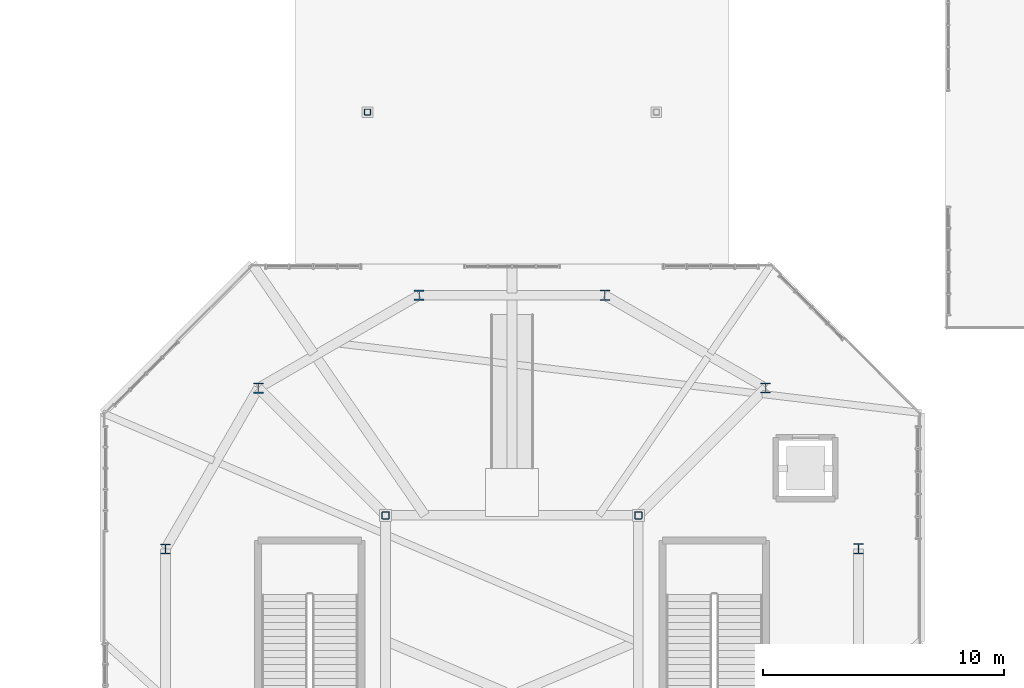
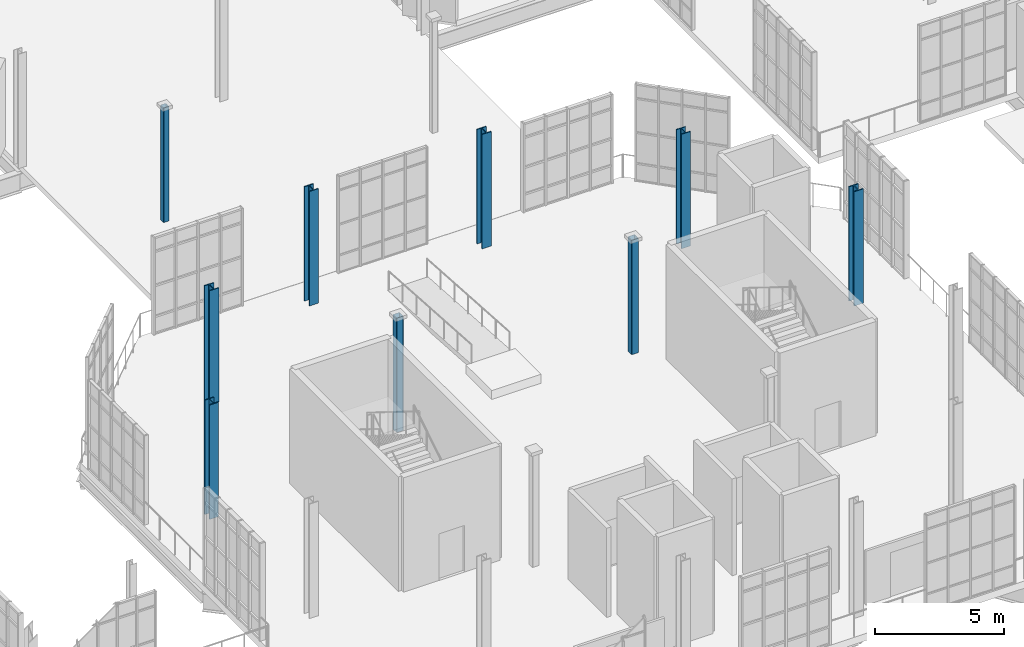
# One storey, part 7 of 189: 9 columns.
"""IFC4 building model written with IfcOpenShell, lengths in metres."""

from ifc_helpers import new_model, si_unit, direction, frame, origin, origin_2d, place, context, subcontext, project, spatial, hollow_rectangle, i_section, extrude, material, material_profile, profile_set, type_object, element, save


model = new_model("IFC4")

# Units and contexts
model_context = context("Model", 3, precision=1e-05, world=origin(), true_north=direction((0.0, 1.0)))
body_context = subcontext(model_context, "Body", "Model", "MODEL_VIEW")
ifc_project = project(units=[si_unit("LENGTHUNIT", "METRE"), si_unit("AREAUNIT", "SQUARE_METRE"), si_unit("VOLUMEUNIT", "CUBIC_METRE"), si_unit("PLANEANGLEUNIT", "RADIAN"), si_unit("MASSUNIT", "GRAM", prefix="KILO"), si_unit("THERMODYNAMICTEMPERATUREUNIT", "KELVIN"), si_unit("POWERUNIT", "WATT")], contexts=[model_context])

# Site, building, storey
site_placement = place(None, origin())
site = spatial("IfcSite", under=ifc_project, at=site_placement, CompositionType="ELEMENT")
building_placement = place(site_placement, origin())
building = spatial("IfcBuilding", under=site, at=building_placement, Name="Zelmaris Science Centre", CompositionType="ELEMENT")
storey_placement = place(building_placement, origin())
storey = spatial("IfcBuildingStorey", under=building, at=storey_placement, Name="L00", CompositionType="ELEMENT", Elevation=0.0)

# Columns
ifc_material_1 = material(Name="Steel ASTM A992 Grade 50", Category="steel")
ifc_material_profile_1 = material_profile(ifc_material_1, i_section(OverallWidth=0.412109375, OverallDepth=0.43408203125, WebThickness=0.035888671875, FlangeThickness=0.044189453125, FilletRadius=0.014892578125, at=origin_2d()), Name="W14X311")
ifc_profile_set_1 = profile_set([ifc_material_profile_1], Name="Steel ASTM A992 Grade 50")
column_type_1 = type_object("IfcColumnType", Name="Column C-01 W14X311", PredefinedType="COLUMN", material=ifc_profile_set_1)
for number, where, z_axis, x_axis, name in (
    (1, (95.392333984375, 39.8564453125, 0.0), (0.0, 0.0, 1.0), (1.0, 0.0, 0.0), "Column V2-MC01 L00"),
    (2, (84.8564453125, 50.392333984375, 0.0), (0.0, 0.0, 1.0), (1.0, 0.0, 0.0), "Column V2-MC03 L00"),
    (3, (70.464111328125, 46.535888671875, 0.0), (0.0, 0.0, 1.0), (1.0, 0.0, 0.0), "Column V2-MC05 L00"),
):
    element("IfcColumn", number, at=place(storey_placement, frame(where, z_axis=z_axis, x_axis=x_axis)), inside=storey, type_object=column_type_1, Name=name, PredefinedType="COLUMN", context=body_context, shape_type="SweptSolid", body=[
        extrude(i_section(OverallWidth=0.412109375, OverallDepth=0.43408203125, WebThickness=0.035888671875, FlangeThickness=0.044189453125, FilletRadius=0.014892578125, at=origin_2d()), origin(), (0.0, 0.0, 1.0), 5.39990234375),
    ])
ifc_material_profile_2 = material_profile(ifc_material_1, i_section(OverallWidth=0.406005859375, OverallDepth=0.4169921875, WebThickness=0.02978515625, FlangeThickness=0.04443359375, FilletRadius=0.014892578125, at=origin_2d()), Name="W14X257")
ifc_profile_set_2 = profile_set([ifc_material_profile_2], Name="Steel ASTM A992 Grade 50")
column_type_2 = type_object("IfcColumnType", Name="Column C-02 W14X257", PredefinedType="COLUMN", material=ifc_profile_set_2)
for number, where, z_axis, x_axis, name in (
    (4, (91.535888671875, 46.535888671875, 0.0), (0.0, 0.0, 1.0), (1.0, 0.0, 0.0), "Column V2-MC02 L00"),
    (5, (77.1435546875, 50.392333984375, 0.0), (0.0, 0.0, 1.0), (1.0, 0.0, 0.0), "Column V2-MC04 L00"),
    (6, (66.607666015625, 39.8564453125, 0.0), (0.0, 0.0, 1.0), (1.0, 0.0, 0.0), "Column V2-MC06 L00"),
):
    element("IfcColumn", number, at=place(storey_placement, frame(where, z_axis=z_axis, x_axis=x_axis)), inside=storey, type_object=column_type_2, Name=name, PredefinedType="COLUMN", context=body_context, shape_type="SweptSolid", body=[
        extrude(i_section(OverallWidth=0.406005859375, OverallDepth=0.4169921875, WebThickness=0.02978515625, FlangeThickness=0.04443359375, FilletRadius=0.014892578125, at=origin_2d()), origin(), (0.0, 0.0, 1.0), 5.39990234375),
    ])
ifc_material_2 = material(Name="Steel ASTM A500 Grade C", Category="steel")
ifc_material_profile_3 = material_profile(ifc_material_2, hollow_rectangle(XDim=0.3046875, YDim=0.3046875, WallThickness=0.0146484375, InnerFilletRadius=0.0146484375, OuterFilletRadius=0.029296875, at=origin_2d()), Name="HSS305X305X16")
ifc_profile_set_3 = profile_set([ifc_material_profile_3], Name="Steel ASTM A500 Grade C")
column_type_3 = type_object("IfcColumnType", Name="Column C-10 HSS305X305X16", PredefinedType="COLUMN", material=ifc_profile_set_3)
for number, where, z_axis, x_axis, name in (
    (7, (86.25, 41.25, 0.0), (0.0, 0.0, 1.0), (1.0, 0.0, 0.0), "Column V2-AC03 L00"),
    (8, (75.75, 41.25, 0.0), (0.0, 0.0, 1.0), (1.0, 0.0, 0.0), "Column V2-AC04 L00"),
):
    element("IfcColumn", number, at=place(storey_placement, frame(where, z_axis=z_axis, x_axis=x_axis)), inside=storey, type_object=column_type_3, Name=name, PredefinedType="COLUMN", context=body_context, shape_type="SweptSolid", body=[
        extrude(hollow_rectangle(XDim=0.3046875, YDim=0.3046875, WallThickness=0.0146484375, InnerFilletRadius=0.0146484375, OuterFilletRadius=0.029296875, at=origin_2d()), origin(), (0.0, 0.0, 1.0), 5.39990234375),
    ])
ifc_material_profile_4 = material_profile(ifc_material_2, hollow_rectangle(XDim=0.25390625, YDim=0.25390625, WallThickness=0.01171875, InnerFilletRadius=0.01171875, OuterFilletRadius=0.023681640625, at=origin_2d()), Name="HSS254X254X13")
ifc_profile_set_4 = profile_set([ifc_material_profile_4], Name="Steel ASTM A500 Grade C")
column_type_4 = type_object("IfcColumnType", Name="Column C-11 HSS254X254X13", PredefinedType="COLUMN", material=ifc_profile_set_4)
column_placement = place(storey_placement, frame((75.0, 58.0, 0.0), z_axis=(0.0, 0.0, 1.0), x_axis=(1.0, 0.0, 0.0)))
element("IfcColumn", 9, at=column_placement, inside=storey, type_object=column_type_4, Name="Column LK-N-75 L00", PredefinedType="COLUMN", context=body_context, shape_type="SweptSolid", body=[
    extrude(hollow_rectangle(XDim=0.25390625, YDim=0.25390625, WallThickness=0.01171875, InnerFilletRadius=0.01171875, OuterFilletRadius=0.023681640625, at=origin_2d()), origin(), (0.0, 0.0, 1.0), 5.39990234375),
])

save(model, "model.ifc")
